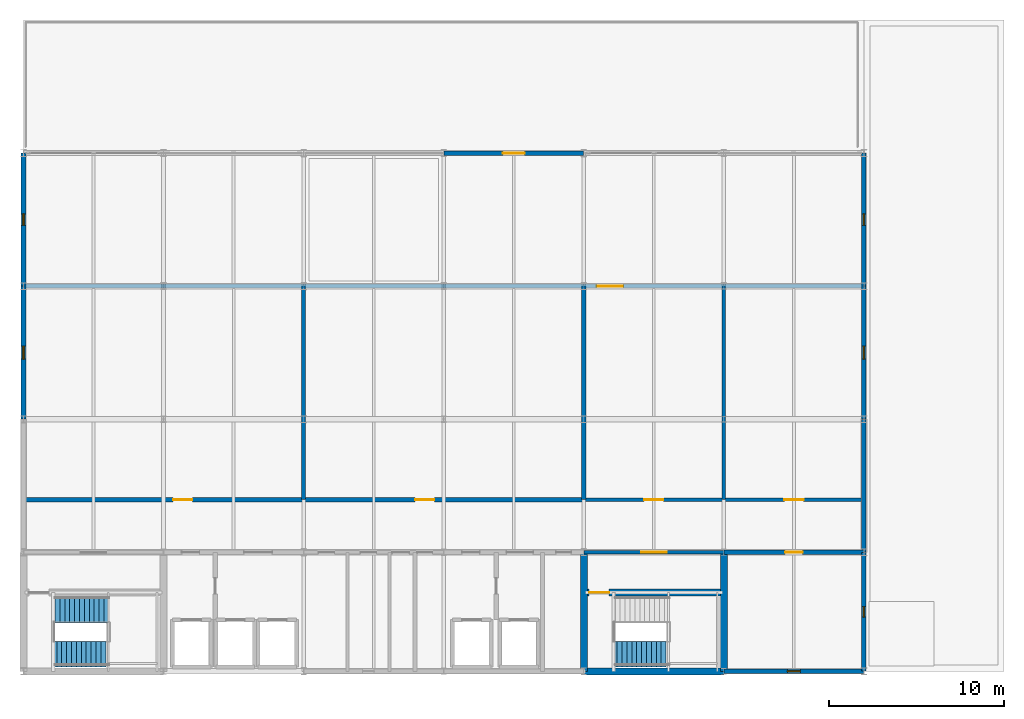
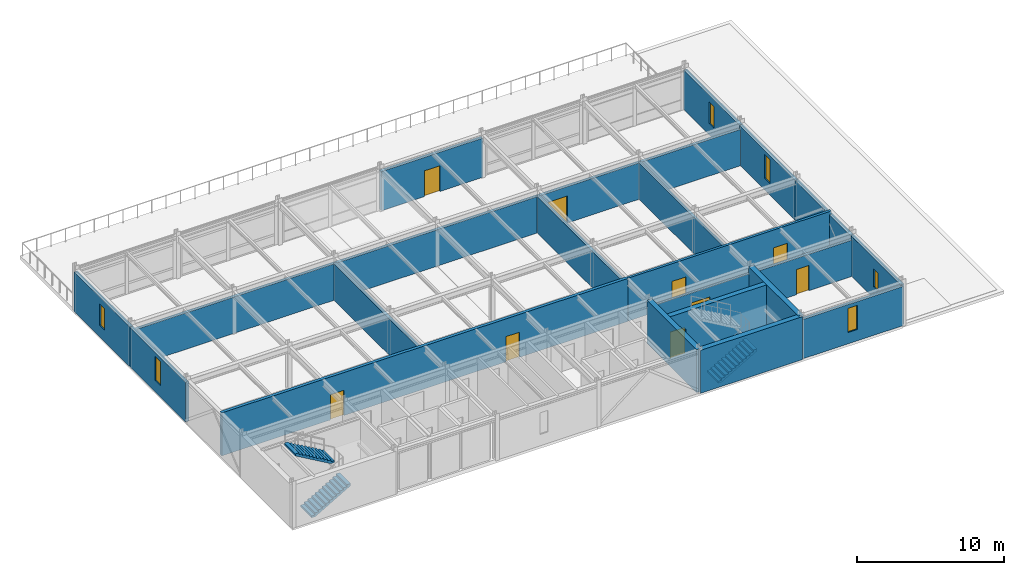
# One storey, part 10 of 12: 20 walls, 9 doors, 6 windows, 3 stair flights, 15 openings, 2 elements without a shape of their own.
"""IFC4 building model written with IfcOpenShell, lengths in metres."""

import ifcopenshell
import ifcopenshell.guid

model = None  # the IFC model being written
_history = None  # IfcOwnerHistory: only IFC2X3 demands one
_inside = {}  # id of a spatial element -> (the spatial element, [elements in it])
_under = {}  # id of a project, library or spatial element -> (it, [spatial elements below it])
_declared = {}  # id of a project -> (the project, [libraries it declares])
_typed = {}  # id of a type object -> (the type object, [elements of that type])
_made_of = {}  # id of a material, layer set ... -> (it, [elements and type objects made of it])


def new_model(schema):
    """Start an empty IFC model of exactly this schema.

    Asked for "IFC4X3", IfcOpenShell would pick the latest addendum, in which some entities
    have other attributes; the version numbers below select the first issue.
    IFC2X3 requires an IfcOwnerHistory on every rooted entity: one is made here for all.
    """
    global model, _history
    if schema == "IFC4X3":
        model = ifcopenshell.file(schema_version=(4, 3, 0, 0))
    else:
        model = ifcopenshell.file(schema=schema)
    _inside.clear()
    _under.clear()
    _declared.clear()
    _typed.clear()
    _made_of.clear()
    _history = None
    if model.schema == "IFC2X3":
        org = make("IfcOrganization", Name="unknown")
        user = make(
            "IfcPersonAndOrganization",
            ThePerson=make("IfcPerson", FamilyName="unknown"),
            TheOrganization=org,
        )
        app = make(
            "IfcApplication",
            ApplicationDeveloper=org,
            Version="unknown",
            ApplicationFullName="unknown",
            ApplicationIdentifier="unknown",
        )
        _history = make(
            "IfcOwnerHistory",
            OwningUser=user,
            OwningApplication=app,
            ChangeAction="ADDED",
            CreationDate=0,
        )
    return model


def make(cls, **values):
    """One entity of the class cls with the attributes given. An attribute that is None is left unset."""
    return model.create_entity(
        cls, **{name: value for name, value in values.items() if value is not None}
    )


def rooted(cls, **values):
    """An entity with a GlobalId (a new one), such as an element, a storey or a relation."""
    return make(cls, GlobalId=ifcopenshell.guid.new(), OwnerHistory=_history, **values)


def si_unit(unit_type, name, prefix=None):
    """IfcSIUnit, for example si_unit("LENGTHUNIT", "METRE", prefix="MILLI")."""
    return make("IfcSIUnit", UnitType=unit_type, Prefix=prefix, Name=name)


def assignment(units):
    """IfcUnitAssignment: the units of a project."""
    return None if units is None else make("IfcUnitAssignment", Units=units)


def point(xyz):
    """IfcCartesianPoint."""
    return None if xyz is None else make("IfcCartesianPoint", Coordinates=xyz)


def direction(xyz):
    """IfcDirection."""
    return None if xyz is None else make("IfcDirection", DirectionRatios=xyz)


def frame(location, z_axis=None, x_axis=None):
    """IfcAxis2Placement3D, a coordinate frame: its origin and axes. An axis left out is left unset."""
    return make(
        "IfcAxis2Placement3D",
        Location=point(location),
        Axis=direction(z_axis),
        RefDirection=direction(x_axis),
    )


def frame_2d(location, x_axis=None):
    """IfcAxis2Placement2D, a coordinate frame in the plane: its origin and x axis."""
    return make(
        "IfcAxis2Placement2D", Location=point(location), RefDirection=direction(x_axis)
    )


def origin():
    """The frame at (0, 0, 0) with its axes left unset."""
    return frame((0.0, 0.0, 0.0))


def place(relative_to, where):
    """IfcLocalPlacement: puts the frame where relative to a parent placement (None: the world)."""
    return make(
        "IfcLocalPlacement", PlacementRelTo=relative_to, RelativePlacement=where
    )


def context(
    kind, dimensions, precision=None, world=None, true_north=None, identifier=None
):
    """IfcGeometricRepresentationContext, for example the 3D "Model" context."""
    return make(
        "IfcGeometricRepresentationContext",
        ContextIdentifier=identifier,
        ContextType=kind,
        CoordinateSpaceDimension=dimensions,
        Precision=precision,
        WorldCoordinateSystem=world,
        TrueNorth=true_north,
    )


def subcontext(parent, identifier, kind, view, scale=None):
    """IfcGeometricRepresentationSubContext, for example "Body" below "Model"."""
    return make(
        "IfcGeometricRepresentationSubContext",
        ContextIdentifier=identifier,
        ContextType=kind,
        ParentContext=parent,
        TargetScale=scale,
        TargetView=view,
    )


def project(units=None, contexts=None):
    """IfcProject with its units and contexts."""
    return rooted(
        "IfcProject",
        Name="project",
        RepresentationContexts=contexts,
        UnitsInContext=assignment(units),
    )


def spatial(cls, under=None, at=None, **own):
    """A site, building, storey or space (cls), placed at a placement, below another one or the project."""
    s = rooted(cls, ObjectPlacement=at, **own)
    if under is not None:
        _under.setdefault(under.id(), (under, []))[1].append(s)
    return s


def polyline(points):
    """IfcPolyline through the points."""
    return make("IfcPolyline", Points=[point(p) for p in points])


def profile(cls, at=None, kind="AREA", **sizes):
    """A parametric profile (cls). Its sizes go by their IFC names, for example OverallWidth=200.0."""
    return make(cls, ProfileType=kind, Position=at, **sizes)


def rectangle(**sizes):
    """IfcRectangleProfileDef."""
    return profile("IfcRectangleProfileDef", **sizes)


def outline(outer, holes=None, kind="AREA"):
    """IfcArbitraryClosedProfileDef: a profile drawn as a closed curve; with holes, ...WithVoids."""
    if holes is None:
        return make("IfcArbitraryClosedProfileDef", ProfileType=kind, OuterCurve=outer)
    return make(
        "IfcArbitraryProfileDefWithVoids",
        ProfileType=kind,
        OuterCurve=outer,
        InnerCurves=holes,
    )


def extrude(swept, where, along, depth):
    """IfcExtrudedAreaSolid: the profile swept, set in the frame where, extruded along a direction by depth."""
    return make(
        "IfcExtrudedAreaSolid",
        SweptArea=swept,
        Position=where,
        ExtrudedDirection=direction(along),
        Depth=depth,
    )


def shape(context_of_items, identifier, shape_type, items):
    """IfcShapeRepresentation: the items that make up one representation, for example the "Body"."""
    return make(
        "IfcShapeRepresentation",
        ContextOfItems=context_of_items,
        RepresentationIdentifier=identifier,
        RepresentationType=shape_type,
        Items=items,
    )


def material(Name=None, Category=None):
    """IfcMaterial."""
    return make("IfcMaterial", Name=Name, Category=Category)


def layer(
    of_material, thickness, ventilated=None, Name=None, Category=None, Priority=None
):
    """IfcMaterialLayer: one layer of a wall or slab, of a material (None: an air gap)."""
    return make(
        "IfcMaterialLayer",
        Material=of_material,
        LayerThickness=thickness,
        IsVentilated=ventilated,
        Name=Name,
        Category=Category,
        Priority=Priority,
    )


def layer_set(layers, Name=None):
    """IfcMaterialLayerSet."""
    return make("IfcMaterialLayerSet", MaterialLayers=layers, LayerSetName=Name)


def made_of(thing, what):
    """Note that an element or type object is made of a material, layer set ...; save() writes the relation."""
    if what is not None:
        _made_of.setdefault(what.id(), (what, []))[1].append(thing)
    return thing


def type_object(cls, material=None, **own):
    """A type object (cls), such as IfcWallType, which elements share."""
    return made_of(rooted(cls, **own), material)


def element(
    cls,
    number,
    at=None,
    inside=None,
    cuts=None,
    type_object=None,
    material=None,
    context=None,
    identifier="Body",
    shape_type=None,
    held_by="IfcProductDefinitionShape",
    body=None,
    shapes=None,
    **own,
):
    """One element of the class cls, such as IfcWall. Its Tag is "e" and its number.

    at: its placement. inside: the storey or other place that contains it. cuts: it is an
    opening in that element (IfcRelVoidsElement). A single representation is given by context,
    identifier, shape_type and body (its items); several are given by shapes. held_by: the class
    of the entity that holds the representations. save() writes the other relations.
    """
    e = rooted(cls, Tag="e%d" % number, ObjectPlacement=at, **own)
    if body is not None:
        shapes = [shape(context, identifier, shape_type, body)]
    if shapes is not None:
        e.Representation = make(held_by, Representations=shapes)
    if inside is not None:
        _inside.setdefault(inside.id(), (inside, []))[1].append(e)
    if cuts is not None:
        rooted(
            "IfcRelVoidsElement", RelatingBuildingElement=cuts, RelatedOpeningElement=e
        )
    if type_object is not None:
        _typed.setdefault(type_object.id(), (type_object, []))[1].append(e)
    return made_of(e, material)


def fill(opening, filler):
    """IfcRelFillsElement: the door or window that sits in an opening."""
    return rooted(
        "IfcRelFillsElement",
        RelatingOpeningElement=opening,
        RelatedBuildingElement=filler,
    )


def aggregate(whole, parts):
    """IfcRelAggregates: a whole, such as a stair, and the parts it consists of."""
    return rooted("IfcRelAggregates", RelatingObject=whole, RelatedObjects=parts)


def save(model, path):
    """Write the relations noted so far, then the file.

    IfcRelAggregates (storeys below a building ...), IfcRelContainedInSpatialStructure (elements
    in a storey), IfcRelDefinesByType, IfcRelAssociatesMaterial and IfcRelDeclares: one each for
    every whole, place, type object, material and project.
    """
    for whole, parts in _under.values():
        aggregate(whole, parts)
    for where, things in _inside.values():
        rooted(
            "IfcRelContainedInSpatialStructure",
            RelatedElements=things,
            RelatingStructure=where,
        )
    for kind, things in _typed.values():
        rooted("IfcRelDefinesByType", RelatedObjects=things, RelatingType=kind)
    for what, things in _made_of.values():
        rooted("IfcRelAssociatesMaterial", RelatedObjects=things, RelatingMaterial=what)
    for by, libraries in _declared.values():
        rooted("IfcRelDeclares", RelatingContext=by, RelatedDefinitions=libraries)
    model.write(path)


model = new_model("IFC4")

# Units and contexts
model_context = context("Model", 3, precision=1e-05, world=origin(), true_north=direction((0.0, 1.0)))
body_context = subcontext(model_context, "Body", "Model", "MODEL_VIEW")
ifc_project = project(units=[si_unit("LENGTHUNIT", "METRE"), si_unit("AREAUNIT", "SQUARE_METRE"), si_unit("VOLUMEUNIT", "CUBIC_METRE"), si_unit("PLANEANGLEUNIT", "RADIAN"), si_unit("MASSUNIT", "GRAM", prefix="KILO")], contexts=[model_context])

# Site, building, storey
site_placement = place(None, origin())
site = spatial("IfcSite", under=ifc_project, at=site_placement, CompositionType="ELEMENT")
building_placement = place(site_placement, origin())
building = spatial("IfcBuilding", under=site, at=building_placement, Name="Shalkamar Park Central Library", CompositionType="ELEMENT")
storey_placement = place(building_placement, frame((0.0, 0.0, 56.10009765625)))
storey = spatial("IfcBuildingStorey", under=building, at=storey_placement, Name="L14", CompositionType="ELEMENT", Elevation=56.10009765625)

# Wall, opening, window
ifc_material_1 = material(Name="Terracotta insulated masonry", Category="masonry")
ifc_layer_1 = layer(ifc_material_1, 0.260009765625)
ifc_layer_set_1 = layer_set([ifc_layer_1], Name="ArchiveInsulatedFacadeWall_260")
wall_type_1 = type_object("IfcWallType", Name="Archive Insulated Facade Wall 260", PredefinedType="SOLIDWALL", material=ifc_layer_set_1)
wall_1_placement = place(storey_placement, frame((205.006103515625, 248.39990234375, 0.0), z_axis=(0.0, 0.0, 1.0), x_axis=(1.0, 0.0, 0.0)))
wall_1 = element("IfcWall", 1, at=wall_1_placement, inside=storey, type_object=wall_type_1, Name="Exterior Facade Wall WL-EXT-L14-249", PredefinedType="SOLIDWALL", context=body_context, shape_type="SweptSolid", body=[
    extrude(rectangle(XDim=7.98779296875, YDim=0.260009765625, at=frame_2d((3.993896484375, 0.0))), origin(), (0.0, 0.0, 1.0), 3.267822265625),
])
opening_1_placement = place(wall_1_placement, frame((3.618896484375, 0.0, 0.949951171875)))
opening_1 = element("IfcOpeningElement", 2, at=opening_1_placement, cuts=wall_1, Name="Opening WN-18", PredefinedType="OPENING", context=body_context, shape_type="SweptSolid", body=[
    extrude(rectangle(XDim=0.75, YDim=2.0, at=frame_2d((0.375, 1.0))), frame((0.0, 0.14501953125, 0.0), z_axis=(0.0, -1.0, 0.0), x_axis=(1.0, 0.0, 0.0)), (0.0, 0.0, 1.0), 0.289794921875),
])
ifc_material_2 = material(Name="Thermally broken aluminium and triple low-e glass", Category="glass")
window_type_1 = type_object("IfcWindowType", Name="Archive Slit Window 750x2000", PartitioningType="SINGLE_PANEL", PredefinedType="WINDOW", material=ifc_material_2)
window_1_placement = place(opening_1_placement, origin())
window_1 = element("IfcWindow", 3, at=window_1_placement, inside=storey, type_object=window_type_1, Name="Facade Window WN-L14-183", OverallHeight=2.0, OverallWidth=0.75, PartitioningType="SINGLE_PANEL", PredefinedType="WINDOW", context=body_context, shape_type="SweptSolid", body=[
    extrude(rectangle(XDim=0.75, YDim=2.0, at=frame_2d((0.375, 1.0))), frame((0.0, 0.030029296875, 0.0), z_axis=(0.0, -1.0, 0.0), x_axis=(1.0, 0.0, 0.0)), (0.0, 0.0, 1.0), 0.06005859375),
])
fill(opening_1, window_1)

# Wall, opening, door
wall_2_placement = place(storey_placement, frame((189.006103515625, 278.0, 0.0), z_axis=(0.0, 0.0, 1.0), x_axis=(1.0, 0.0, 0.0)))
wall_2 = element("IfcWall", 4, at=wall_2_placement, inside=storey, type_object=wall_type_1, Name="Exterior Facade Wall WL-EXT-L14-250", PredefinedType="SOLIDWALL", context=body_context, shape_type="SweptSolid", body=[
    extrude(rectangle(XDim=7.98779296875, YDim=0.260009765625, at=frame_2d((3.993896484375, 0.0))), origin(), (0.0, 0.0, 1.0), 3.267822265625),
])
opening_2_placement = place(wall_2_placement, frame((3.368896484375, 0.0, 0.0)))
opening_2 = element("IfcOpeningElement", 5, at=opening_2_placement, cuts=wall_2, Name="Opening ED-L14-043", PredefinedType="OPENING", context=body_context, shape_type="SweptSolid", body=[
    extrude(rectangle(XDim=1.25, YDim=2.14990234375, at=frame_2d((0.625, 1.074951171875))), frame((0.0, 0.14501953125, 0.0), z_axis=(0.0, -1.0, 0.0), x_axis=(1.0, 0.0, 0.0)), (0.0, 0.0, 1.0), 0.289794921875),
])
ifc_material_3 = material(Name="Thermally broken insulated aluminium and glazed door", Category="aluminium")
door_type_1 = type_object("IfcDoorType", Name="Archive Terrace Door 1250x2150", OperationType="NOTDEFINED", PredefinedType="DOOR", material=ifc_material_3)
door_1_placement = place(opening_2_placement, origin())
door_1 = element("IfcDoor", 6, at=door_1_placement, inside=storey, type_object=door_type_1, Name="L14 Archival Setback Terrace Door", OperationType="SINGLE_SWING_RIGHT", OverallHeight=2.14990234375, OverallWidth=1.25, PredefinedType="DOOR", context=body_context, shape_type="SweptSolid", body=[
    extrude(rectangle(XDim=1.25, YDim=2.14990234375, at=frame_2d((0.625, 1.074951171875))), frame((0.0, 0.02490234375, 0.0), z_axis=(0.0, -1.0, 0.0), x_axis=(1.0, 0.0, 0.0)), (0.0, 0.0, 1.0), 0.050048828125),
])
fill(opening_2, door_1)

# Wall, opening, window
wall_3_placement = place(storey_placement, frame((165.0, 262.805908203125, 0.0), z_axis=(0.0, 0.0, 1.0), x_axis=(0.0, 1.0, 0.0)))
wall_3 = element("IfcWall", 7, at=wall_3_placement, inside=storey, type_object=wall_type_1, Name="Exterior Facade Wall WL-EXT-L14-252", PredefinedType="SOLIDWALL", context=body_context, shape_type="SweptSolid", body=[
    extrude(rectangle(XDim=7.588134765625, YDim=0.260009765625, at=frame_2d((3.7939453125, 0.0))), origin(), (0.0, 0.0, 1.0), 3.307861328125),
])
opening_3_placement = place(wall_3_placement, frame((3.4189453125, 0.0, 0.949951171875)))
opening_3 = element("IfcOpeningElement", 8, at=opening_3_placement, cuts=wall_3, Name="Opening WN-18", PredefinedType="OPENING", context=body_context, shape_type="SweptSolid", body=[
    extrude(rectangle(XDim=0.75, YDim=2.0, at=frame_2d((0.375, 1.0))), frame((0.0, 0.14501953125, 0.0), z_axis=(0.0, -1.0, 0.0), x_axis=(1.0, 0.0, 0.0)), (0.0, 0.0, 1.0), 0.289794921875),
])
window_2_placement = place(opening_3_placement, origin())
window_2 = element("IfcWindow", 9, at=window_2_placement, inside=storey, type_object=window_type_1, Name="Facade Window WN-L14-184", OverallHeight=2.0, OverallWidth=0.75, PartitioningType="SINGLE_PANEL", PredefinedType="WINDOW", context=body_context, shape_type="SweptSolid", body=[
    extrude(rectangle(XDim=0.75, YDim=2.0, at=frame_2d((0.375, 1.0))), frame((0.0, 0.030029296875, 0.0), z_axis=(0.0, -1.0, 0.0), x_axis=(1.0, 0.0, 0.0)), (0.0, 0.0, 1.0), 0.06005859375),
])
fill(opening_3, window_2)

wall_4_placement = place(storey_placement, frame((165.0, 270.406005859375, 0.0), z_axis=(0.0, 0.0, 1.0), x_axis=(0.0, 1.0, 0.0)))
wall_4 = element("IfcWall", 10, at=wall_4_placement, inside=storey, type_object=wall_type_1, Name="Exterior Facade Wall WL-EXT-L14-253", PredefinedType="SOLIDWALL", context=body_context, shape_type="SweptSolid", body=[
    extrude(rectangle(XDim=7.587890625, YDim=0.260009765625, at=frame_2d((3.7939453125, 0.0))), origin(), (0.0, 0.0, 1.0), 3.307861328125),
])
opening_4_placement = place(wall_4_placement, frame((3.468994140625, 0.0, 0.949951171875)))
opening_4 = element("IfcOpeningElement", 11, at=opening_4_placement, cuts=wall_4, Name="Opening WN-19", PredefinedType="OPENING", context=body_context, shape_type="SweptSolid", body=[
    extrude(rectangle(XDim=0.64990234375, YDim=1.800048828125, at=frame_2d((0.324951171875, 0.89990234375))), frame((0.0, 0.14501953125, 0.0), z_axis=(0.0, -1.0, 0.0), x_axis=(1.0, 0.0, 0.0)), (0.0, 0.0, 1.0), 0.289794921875),
])
window_type_2 = type_object("IfcWindowType", Name="Archive Slit Window 650x1800", PartitioningType="SINGLE_PANEL", PredefinedType="WINDOW", material=ifc_material_2)
window_3_placement = place(opening_4_placement, origin())
window_3 = element("IfcWindow", 12, at=window_3_placement, inside=storey, type_object=window_type_2, Name="Facade Window WN-L14-185", OverallHeight=1.800048828125, OverallWidth=0.64990234375, PartitioningType="SINGLE_PANEL", PredefinedType="WINDOW", context=body_context, shape_type="SweptSolid", body=[
    extrude(rectangle(XDim=0.64990234375, YDim=1.800048828125, at=frame_2d((0.324951171875, 0.89990234375))), frame((0.0, 0.030029296875, 0.0), z_axis=(0.0, -1.0, 0.0), x_axis=(1.0, 0.0, 0.0)), (0.0, 0.0, 1.0), 0.06005859375),
])
fill(opening_4, window_3)

wall_5_placement = place(storey_placement, frame((213.0, 248.406005859375, 0.0), z_axis=(0.0, 0.0, 1.0), x_axis=(0.0, 1.0, 0.0)))
wall_5 = element("IfcWall", 13, at=wall_5_placement, inside=storey, type_object=wall_type_1, Name="Exterior Facade Wall WL-EXT-L14-254", PredefinedType="SOLIDWALL", context=body_context, shape_type="SweptSolid", body=[
    extrude(rectangle(XDim=6.7880859375, YDim=0.260009765625, at=frame_2d((3.39404296875, 0.0))), origin(), (0.0, 0.0, 1.0), 3.347900390625),
])
opening_5_placement = place(wall_5_placement, frame((3.093994140625, 0.0, 0.949951171875)))
opening_5 = element("IfcOpeningElement", 14, at=opening_5_placement, cuts=wall_5, Name="Opening WN-20", PredefinedType="OPENING", context=body_context, shape_type="SweptSolid", body=[
    extrude(rectangle(XDim=0.60009765625, YDim=1.5, at=frame_2d((0.300048828125, 0.75))), frame((0.0, 0.14501953125, 0.0), z_axis=(0.0, -1.0, 0.0), x_axis=(1.0, 0.0, 0.0)), (0.0, 0.0, 1.0), 0.289794921875),
])
window_type_3 = type_object("IfcWindowType", Name="Archive Slit Window 600x1500", PartitioningType="SINGLE_PANEL", PredefinedType="WINDOW", material=ifc_material_2)
window_4_placement = place(opening_5_placement, origin())
window_4 = element("IfcWindow", 15, at=window_4_placement, inside=storey, type_object=window_type_3, Name="Facade Window WN-L14-186", OverallHeight=1.5, OverallWidth=0.60009765625, PartitioningType="SINGLE_PANEL", PredefinedType="WINDOW", context=body_context, shape_type="SweptSolid", body=[
    extrude(rectangle(XDim=0.60009765625, YDim=1.5, at=frame_2d((0.300048828125, 0.75))), frame((0.0, 0.030029296875, 0.0), z_axis=(0.0, -1.0, 0.0), x_axis=(1.0, 0.0, 0.0)), (0.0, 0.0, 1.0), 0.06005859375),
])
fill(opening_5, window_4)

# Wall
wall_6_placement = place(storey_placement, frame((213.0, 255.2060546875, 0.0), z_axis=(0.0, 0.0, 1.0), x_axis=(0.0, 1.0, 0.0)))
element("IfcWall", 16, at=wall_6_placement, inside=storey, type_object=wall_type_1, Name="Exterior Facade Wall WL-EXT-L14-255", PredefinedType="SOLIDWALL", context=body_context, shape_type="SweptSolid", body=[
    extrude(rectangle(XDim=7.587890625, YDim=0.260009765625, at=frame_2d((3.7939453125, 0.0))), origin(), (0.0, 0.0, 1.0), 3.307861328125),
])

# Wall, opening, window
wall_7_placement = place(storey_placement, frame((213.0, 262.805908203125, 0.0), z_axis=(0.0, 0.0, 1.0), x_axis=(0.0, 1.0, 0.0)))
wall_7 = element("IfcWall", 17, at=wall_7_placement, inside=storey, type_object=wall_type_1, Name="Exterior Facade Wall WL-EXT-L14-256", PredefinedType="SOLIDWALL", context=body_context, shape_type="SweptSolid", body=[
    extrude(rectangle(XDim=7.588134765625, YDim=0.260009765625, at=frame_2d((3.7939453125, 0.0))), origin(), (0.0, 0.0, 1.0), 3.307861328125),
])
opening_6_placement = place(wall_7_placement, frame((3.4189453125, 0.0, 0.949951171875)))
opening_6 = element("IfcOpeningElement", 18, at=opening_6_placement, cuts=wall_7, Name="Opening WN-18", PredefinedType="OPENING", context=body_context, shape_type="SweptSolid", body=[
    extrude(rectangle(XDim=0.75, YDim=2.0, at=frame_2d((0.375, 1.0))), frame((0.0, 0.14501953125, 0.0), z_axis=(0.0, -1.0, 0.0), x_axis=(1.0, 0.0, 0.0)), (0.0, 0.0, 1.0), 0.289794921875),
])
window_5_placement = place(opening_6_placement, origin())
window_5 = element("IfcWindow", 19, at=window_5_placement, inside=storey, type_object=window_type_1, Name="Facade Window WN-L14-187", OverallHeight=2.0, OverallWidth=0.75, PartitioningType="SINGLE_PANEL", PredefinedType="WINDOW", context=body_context, shape_type="SweptSolid", body=[
    extrude(rectangle(XDim=0.75, YDim=2.0, at=frame_2d((0.375, 1.0))), frame((0.0, 0.030029296875, 0.0), z_axis=(0.0, -1.0, 0.0), x_axis=(1.0, 0.0, 0.0)), (0.0, 0.0, 1.0), 0.06005859375),
])
fill(opening_6, window_5)

wall_8_placement = place(storey_placement, frame((213.0, 270.406005859375, 0.0), z_axis=(0.0, 0.0, 1.0), x_axis=(0.0, 1.0, 0.0)))
wall_8 = element("IfcWall", 20, at=wall_8_placement, inside=storey, type_object=wall_type_1, Name="Exterior Facade Wall WL-EXT-L14-257", PredefinedType="SOLIDWALL", context=body_context, shape_type="SweptSolid", body=[
    extrude(rectangle(XDim=7.587890625, YDim=0.260009765625, at=frame_2d((3.7939453125, 0.0))), origin(), (0.0, 0.0, 1.0), 3.307861328125),
])
opening_7_placement = place(wall_8_placement, frame((3.468994140625, 0.0, 0.949951171875)))
opening_7 = element("IfcOpeningElement", 21, at=opening_7_placement, cuts=wall_8, Name="Opening WN-19", PredefinedType="OPENING", context=body_context, shape_type="SweptSolid", body=[
    extrude(rectangle(XDim=0.64990234375, YDim=1.800048828125, at=frame_2d((0.324951171875, 0.89990234375))), frame((0.0, 0.14501953125, 0.0), z_axis=(0.0, -1.0, 0.0), x_axis=(1.0, 0.0, 0.0)), (0.0, 0.0, 1.0), 0.289794921875),
])
window_6_placement = place(opening_7_placement, origin())
window_6 = element("IfcWindow", 22, at=window_6_placement, inside=storey, type_object=window_type_2, Name="Facade Window WN-L14-188", OverallHeight=1.800048828125, OverallWidth=0.64990234375, PartitioningType="SINGLE_PANEL", PredefinedType="WINDOW", context=body_context, shape_type="SweptSolid", body=[
    extrude(rectangle(XDim=0.64990234375, YDim=1.800048828125, at=frame_2d((0.324951171875, 0.89990234375))), frame((0.0, 0.030029296875, 0.0), z_axis=(0.0, -1.0, 0.0), x_axis=(1.0, 0.0, 0.0)), (0.0, 0.0, 1.0), 0.06005859375),
])
fill(opening_7, window_6)

# Wall, opening, door
ifc_material_4 = material(Name="Reinforced fire-compartment masonry wall", Category="masonry")
ifc_layer_2 = layer(ifc_material_4, 0.239990234375)
ifc_layer_set_2 = layer_set([ifc_layer_2], Name="CompartmentWall_240")
wall_type_2 = type_object("IfcWallType", Name="Compartment Wall 240", PredefinedType="PARTITIONING", material=ifc_layer_set_2)
wall_9_placement = place(storey_placement, frame((205.0, 255.199951171875, 0.0), z_axis=(0.0, 0.0, 1.0), x_axis=(1.0, 0.0, 0.0)))
wall_9 = element("IfcWall", 23, at=wall_9_placement, inside=storey, type_object=wall_type_2, Name="Interior Partition WL-INT-L14-010", PredefinedType="PARTITIONING", context=body_context, shape_type="SweptSolid", body=[
    extrude(rectangle(XDim=8.0, YDim=0.239990234375, at=frame_2d((4.0, 0.0))), origin(), (0.0, 0.0, 1.0), 3.02783203125),
])
opening_8_placement = place(wall_9_placement, frame((3.5, 0.0, 0.0)))
opening_8 = element("IfcOpeningElement", 24, at=opening_8_placement, cuts=wall_9, Name="Opening DR-L14-012", PredefinedType="OPENING", context=body_context, shape_type="SweptSolid", body=[
    extrude(rectangle(XDim=1.0, YDim=2.10009765625, at=frame_2d((0.5, 1.050048828125))), frame((0.0, 0.134765625, 0.0), z_axis=(0.0, -1.0, 0.0), x_axis=(1.0, 0.0, 0.0)), (0.0, 0.0, 1.0), 0.269775390625),
])
ifc_material_5 = material(Name="Steel S355", Category="steel")
door_type_2 = type_object("IfcDoorType", Name="Fire Door Single 1000x2100", OperationType="NOTDEFINED", PredefinedType="DOOR", material=ifc_material_5)
door_2_placement = place(opening_8_placement, frame((1.0, 0.0, 0.0), z_axis=(0.0, 0.0, 1.0), x_axis=(-1.0, 0.0, 0.0)))
door_2 = element("IfcDoor", 25, at=door_2_placement, inside=storey, type_object=door_type_2, Name="L14 Archivist Custodian Office Door", OperationType="SINGLE_SWING_RIGHT", OverallHeight=2.10009765625, OverallWidth=1.0, PredefinedType="DOOR", context=body_context, shape_type="SweptSolid", body=[
    extrude(rectangle(XDim=1.0, YDim=2.10009765625, at=frame_2d((0.5, 1.050048828125))), frame((0.0, 0.02490234375, 0.0), z_axis=(0.0, -1.0, 0.0), x_axis=(1.0, 0.0, 0.0)), (0.0, 0.0, 1.0), 0.050048828125),
])
fill(opening_8, door_2)

# Wall, openings, doors
wall_10_placement = place(storey_placement, frame((165.0, 258.199951171875, 0.0), z_axis=(0.0, 0.0, 1.0), x_axis=(1.0, 0.0, 0.0)))
wall_10 = element("IfcWall", 26, at=wall_10_placement, inside=storey, type_object=wall_type_2, Name="Interior Partition WL-INT-L14-011", PredefinedType="PARTITIONING", context=body_context, shape_type="SweptSolid", body=[
    extrude(rectangle(XDim=32.0, YDim=0.239990234375, at=frame_2d((16.0, 0.0))), origin(), (0.0, 0.0, 1.0), 3.579833984375),
])
opening_9_placement = place(wall_10_placement, frame((8.5400390625, 0.0, 0.0)))
opening_9 = element("IfcOpeningElement", 27, at=opening_9_placement, cuts=wall_10, Name="Opening DR-L14-013", PredefinedType="OPENING", context=body_context, shape_type="SweptSolid", body=[
    extrude(rectangle(XDim=1.10009765625, YDim=2.10009765625, at=frame_2d((0.550048828125, 1.050048828125))), frame((0.0, 0.134765625, 0.0), z_axis=(0.0, -1.0, 0.0), x_axis=(1.0, 0.0, 0.0)), (0.0, 0.0, 1.0), 0.269775390625),
])
opening_10_placement = place(wall_10_placement, frame((22.360107421875, 0.0, 0.0)))
opening_10 = element("IfcOpeningElement", 28, at=opening_10_placement, cuts=wall_10, Name="Opening DR-L14-014", PredefinedType="OPENING", context=body_context, shape_type="SweptSolid", body=[
    extrude(rectangle(XDim=1.10009765625, YDim=2.10009765625, at=frame_2d((0.550048828125, 1.050048828125))), frame((0.0, 0.134765625, 0.0), z_axis=(0.0, -1.0, 0.0), x_axis=(1.0, 0.0, 0.0)), (0.0, 0.0, 1.0), 0.269775390625),
])
door_type_3 = type_object("IfcDoorType", Name="Fire Door Single 1100x2100", OperationType="NOTDEFINED", PredefinedType="DOOR", material=ifc_material_5)
door_3_placement = place(opening_9_placement, origin())
door_3 = element("IfcDoor", 29, at=door_3_placement, inside=storey, type_object=door_type_3, Name="Rare-Book Vault A Door", OperationType="SINGLE_SWING_LEFT", OverallHeight=2.10009765625, OverallWidth=1.10009765625, PredefinedType="DOOR", context=body_context, shape_type="SweptSolid", body=[
    extrude(rectangle(XDim=1.10009765625, YDim=2.10009765625, at=frame_2d((0.550048828125, 1.050048828125))), frame((0.0, 0.02490234375, 0.0), z_axis=(0.0, -1.0, 0.0), x_axis=(1.0, 0.0, 0.0)), (0.0, 0.0, 1.0), 0.050048828125),
])
fill(opening_9, door_3)
door_4_placement = place(opening_10_placement, origin())
door_4 = element("IfcDoor", 30, at=door_4_placement, inside=storey, type_object=door_type_3, Name="Rare-Book Vault B Door", OperationType="SINGLE_SWING_RIGHT", OverallHeight=2.10009765625, OverallWidth=1.10009765625, PredefinedType="DOOR", context=body_context, shape_type="SweptSolid", body=[
    extrude(rectangle(XDim=1.10009765625, YDim=2.10009765625, at=frame_2d((0.550048828125, 1.050048828125))), frame((0.0, 0.02490234375, 0.0), z_axis=(0.0, -1.0, 0.0), x_axis=(1.0, 0.0, 0.0)), (0.0, 0.0, 1.0), 0.050048828125),
])
fill(opening_10, door_4)

# Walls
for number, where, z_axis, x_axis, name in (
    (31, (181.0, 258.199951171875, 0.0), (0.0, 0.0, 1.0), (0.0, 1.0, 0.0), "Interior Partition WL-INT-L14-012"),
    (32, (197.0, 258.199951171875, 0.0), (0.0, 0.0, 1.0), (0.0, 1.0, 0.0), "Interior Partition WL-INT-L14-013"),
):
    element("IfcWall", number, at=place(storey_placement, frame(where, z_axis=z_axis, x_axis=x_axis)), inside=storey, type_object=wall_type_2, Name=name, PredefinedType="PARTITIONING", context=body_context, shape_type="SweptSolid", body=[
        extrude(rectangle(XDim=12.199951171875, YDim=0.239990234375, at=frame_2d((6.10009765625, 0.0))), origin(), (0.0, 0.0, 1.0), 3.02783203125),
    ])

# Wall, opening, door
wall_11_placement = place(storey_placement, frame((165.0, 270.39990234375, 0.0), z_axis=(0.0, 0.0, 1.0), x_axis=(1.0, 0.0, 0.0)))
wall_11 = element("IfcWall", 33, at=wall_11_placement, inside=storey, type_object=wall_type_2, Name="Interior Partition WL-INT-L14-016", PredefinedType="PARTITIONING", context=body_context, shape_type="SweptSolid", body=[
    extrude(rectangle(XDim=48.0, YDim=0.239990234375, at=frame_2d((24.0, 0.0))), origin(), (0.0, 0.0, 1.0), 3.02783203125),
])
opening_11_placement = place(wall_11_placement, frame((32.75, 0.0, 0.0)))
opening_11 = element("IfcOpeningElement", 34, at=opening_11_placement, cuts=wall_11, Name="Opening DR-L14-017", PredefinedType="OPENING", context=body_context, shape_type="SweptSolid", body=[
    extrude(rectangle(XDim=1.5, YDim=2.25, at=frame_2d((0.75, 1.125))), frame((0.0, 0.134765625, 0.0), z_axis=(0.0, -1.0, 0.0), x_axis=(1.0, 0.0, 0.0)), (0.0, 0.0, 1.0), 0.269775390625),
])
door_type_4 = type_object("IfcDoorType", Name="Fire Door Double 1500x2250", OperationType="DOUBLE_DOOR_SINGLE_SWING", PredefinedType="DOOR", material=ifc_material_5)
door_5_placement = place(opening_11_placement, origin())
door_5 = element("IfcDoor", 35, at=door_5_placement, inside=storey, type_object=door_type_4, Name="Restricted Archival Reading Room Door", OperationType="DOUBLE_DOOR_SINGLE_SWING", OverallHeight=2.25, OverallWidth=1.5, PredefinedType="DOOR", context=body_context, shape_type="SweptSolid", body=[
    extrude(rectangle(XDim=1.5, YDim=2.25, at=frame_2d((0.75, 1.125))), frame((0.0, 0.02490234375, 0.0), z_axis=(0.0, -1.0, 0.0), x_axis=(1.0, 0.0, 0.0)), (0.0, 0.0, 1.0), 0.050048828125),
])
fill(opening_11, door_5)

ifc_material_6 = material(Name="Fire-rated corridor partition wall", Category="masonry")
ifc_layer_3 = layer(ifc_material_6, 0.199951171875)
ifc_layer_set_3 = layer_set([ifc_layer_3], Name="CorridorFireWall_200")
wall_type_3 = type_object("IfcWallType", Name="Corridor Fire Wall 200", PredefinedType="PARTITIONING", material=ifc_layer_set_3)
wall_12_placement = place(storey_placement, frame((197.0, 255.199951171875, 0.0), z_axis=(0.0, 0.0, 1.0), x_axis=(1.0, 0.0, 0.0)))
wall_12 = element("IfcWall", 36, at=wall_12_placement, inside=storey, type_object=wall_type_3, Name="CORE-T2 Vestibule North Wall (L14)", PredefinedType="PARTITIONING", context=body_context, shape_type="SweptSolid", body=[
    extrude(rectangle(XDim=8.0, YDim=0.199951171875, at=frame_2d((4.0, 0.0))), origin(), (0.0, 0.0, 1.0), 3.02783203125),
])
opening_12_placement = place(wall_12_placement, frame((3.27490234375, 0.0, 0.0)))
opening_12 = element("IfcOpeningElement", 37, at=opening_12_placement, cuts=wall_12, Name="Opening DR-ST-T2-L14-VEST", PredefinedType="OPENING", context=body_context, shape_type="SweptSolid", body=[
    extrude(rectangle(XDim=1.449951171875, YDim=2.199951171875, at=frame_2d((0.72509765625, 1.10009765625))), frame((0.0, 0.11474609375, 0.0), z_axis=(0.0, -1.0, 0.0), x_axis=(1.0, 0.0, 0.0)), (0.0, 0.0, 1.0), 0.229736328125),
])
door_type_5 = type_object("IfcDoorType", Name="Stair Vestibule Door 1450x2200", OperationType="DOUBLE_DOOR_SINGLE_SWING", PredefinedType="DOOR", material=ifc_material_5)
door_6_placement = place(opening_12_placement, frame((1.449951171875, 0.0, 0.0), z_axis=(0.0, 0.0, 1.0), x_axis=(-1.0, 0.0, 0.0)))
door_6 = element("IfcDoor", 38, at=door_6_placement, inside=storey, type_object=door_type_5, Name="Protected Stair ST-T2 Vestibule Door (L14)", OperationType="DOUBLE_DOOR_SINGLE_SWING", OverallHeight=2.199951171875, OverallWidth=1.449951171875, PredefinedType="DOOR", context=body_context, shape_type="SweptSolid", body=[
    extrude(rectangle(XDim=1.449951171875, YDim=2.199951171875, at=frame_2d((0.72509765625, 1.10009765625))), frame((0.0, 0.02490234375, 0.0), z_axis=(0.0, -1.0, 0.0), x_axis=(1.0, 0.0, 0.0)), (0.0, 0.0, 1.0), 0.050048828125),
])
fill(opening_12, door_6)

# Wall, openings, doors
wall_13_placement = place(storey_placement, frame((197.0, 258.199951171875, 0.0), z_axis=(0.0, 0.0, 1.0), x_axis=(1.0, 0.0, 0.0)))
wall_13 = element("IfcWall", 39, at=wall_13_placement, inside=storey, type_object=wall_type_3, Name="Interior Partition WL-INT-L14-014", PredefinedType="PARTITIONING", context=body_context, shape_type="SweptSolid", body=[
    extrude(rectangle(XDim=16.0, YDim=0.199951171875, at=frame_2d((8.0, 0.0))), origin(), (0.0, 0.0, 1.0), 3.579833984375),
])
opening_13_placement = place(wall_13_placement, frame((3.449951171875, 0.0, 0.0)))
opening_13 = element("IfcOpeningElement", 40, at=opening_13_placement, cuts=wall_13, Name="Opening DR-L14-015", PredefinedType="OPENING", context=body_context, shape_type="SweptSolid", body=[
    extrude(rectangle(XDim=1.10009765625, YDim=2.10009765625, at=frame_2d((0.550048828125, 1.050048828125))), frame((0.0, 0.11474609375, 0.0), z_axis=(0.0, -1.0, 0.0), x_axis=(1.0, 0.0, 0.0)), (0.0, 0.0, 1.0), 0.229736328125),
])
opening_14_placement = place(wall_13_placement, frame((11.449951171875, 0.0, 0.0)))
opening_14 = element("IfcOpeningElement", 41, at=opening_14_placement, cuts=wall_13, Name="Opening DR-L14-016", PredefinedType="OPENING", context=body_context, shape_type="SweptSolid", body=[
    extrude(rectangle(XDim=1.10009765625, YDim=2.10009765625, at=frame_2d((0.550048828125, 1.050048828125))), frame((0.0, 0.11474609375, 0.0), z_axis=(0.0, -1.0, 0.0), x_axis=(1.0, 0.0, 0.0)), (0.0, 0.0, 1.0), 0.229736328125),
])
door_type_6 = type_object("IfcDoorType", Name="Interior Door Single 1100x2100", OperationType="NOTDEFINED", PredefinedType="DOOR", material=ifc_material_5)
door_7_placement = place(opening_13_placement, origin())
door_7 = element("IfcDoor", 42, at=door_7_placement, inside=storey, type_object=door_type_6, Name="Archival Conservation Studio Door", OperationType="SINGLE_SWING_LEFT", OverallHeight=2.10009765625, OverallWidth=1.10009765625, PredefinedType="DOOR", context=body_context, shape_type="SweptSolid", body=[
    extrude(rectangle(XDim=1.10009765625, YDim=2.10009765625, at=frame_2d((0.550048828125, 1.050048828125))), frame((0.0, 0.02490234375, 0.0), z_axis=(0.0, -1.0, 0.0), x_axis=(1.0, 0.0, 0.0)), (0.0, 0.0, 1.0), 0.050048828125),
])
fill(opening_13, door_7)
door_8_placement = place(opening_14_placement, origin())
door_8 = element("IfcDoor", 43, at=door_8_placement, inside=storey, type_object=door_type_6, Name="Manuscript Acclimatization Lab Door", OperationType="SINGLE_SWING_RIGHT", OverallHeight=2.10009765625, OverallWidth=1.10009765625, PredefinedType="DOOR", context=body_context, shape_type="SweptSolid", body=[
    extrude(rectangle(XDim=1.10009765625, YDim=2.10009765625, at=frame_2d((0.550048828125, 1.050048828125))), frame((0.0, 0.02490234375, 0.0), z_axis=(0.0, -1.0, 0.0), x_axis=(1.0, 0.0, 0.0)), (0.0, 0.0, 1.0), 0.050048828125),
])
fill(opening_14, door_8)

# Walls
wall_14_placement = place(storey_placement, frame((205.0, 258.199951171875, 0.0), z_axis=(0.0, 0.0, 1.0), x_axis=(0.0, 1.0, 0.0)))
element("IfcWall", 44, at=wall_14_placement, inside=storey, type_object=wall_type_3, Name="Interior Partition WL-INT-L14-015", PredefinedType="PARTITIONING", context=body_context, shape_type="SweptSolid", body=[
    extrude(rectangle(XDim=12.199951171875, YDim=0.199951171875, at=frame_2d((6.10009765625, 0.0))), origin(), (0.0, 0.0, 1.0), 3.02783203125),
])
ifc_material_7 = material(Name="Concrete C40/50", Category="concrete")
ifc_layer_4 = layer(ifc_material_7, 0.39990234375)
ifc_layer_set_4 = layer_set([ifc_layer_4], Name="Concrete C40/50")
wall_type_4 = type_object("IfcWallType", Name="Tower Core Shear Wall 400", PredefinedType="SHEAR", material=ifc_layer_set_4)
wall_15_placement = place(storey_placement, frame((197.0, 248.39990234375, 0.0), z_axis=(0.0, 0.0, 1.0), x_axis=(1.0, 0.0, 0.0)))
element("IfcWall", 45, at=wall_15_placement, inside=storey, type_object=wall_type_4, Name="CORE-T2 South Shear Wall (L14)", PredefinedType="SHEAR", context=body_context, shape_type="SweptSolid", body=[
    extrude(rectangle(XDim=8.0, YDim=0.39990234375, at=frame_2d((4.0, 0.0))), origin(), (0.0, 0.0, 1.0), 3.579833984375),
])
for number, where, z_axis, x_axis, name in (
    (46, (197.0, 248.39990234375, 0.0), (0.0, 0.0, 1.0), (0.0, 1.0, 0.0), "CORE-T2 West Shear Wall (L14)"),
    (47, (205.0, 248.39990234375, 0.0), (0.0, 0.0, 1.0), (0.0, 1.0, 0.0), "CORE-T2 East Shear Wall (L14)"),
):
    element("IfcWall", number, at=place(storey_placement, frame(where, z_axis=z_axis, x_axis=x_axis)), inside=storey, type_object=wall_type_4, Name=name, PredefinedType="SHEAR", context=body_context, shape_type="SweptSolid", body=[
        extrude(rectangle(XDim=6.800048828125, YDim=0.39990234375, at=frame_2d((3.39990234375, 0.0))), origin(), (0.0, 0.0, 1.0), 3.579833984375),
    ])

# Wall, opening, door
wall_16_placement = place(storey_placement, frame((197.0, 252.89990234375, 0.0), z_axis=(0.0, 0.0, 1.0), x_axis=(1.0, 0.0, 0.0)))
wall_16 = element("IfcWall", 48, at=wall_16_placement, inside=storey, type_object=wall_type_4, Name="CORE-T2 Stairwell Wall (L14)", PredefinedType="SHEAR", context=body_context, shape_type="SweptSolid", body=[
    extrude(rectangle(XDim=8.0, YDim=0.39990234375, at=frame_2d((4.0, 0.0))), origin(), (0.0, 0.0, 1.0), 3.579833984375),
])
opening_15_placement = place(wall_16_placement, frame((0.300048828125, 0.0, 0.0)))
opening_15 = element("IfcOpeningElement", 49, at=opening_15_placement, cuts=wall_16, Name="Opening DR-ST-T2-L14-IN", PredefinedType="OPENING", context=body_context, shape_type="SweptSolid", body=[
    extrude(rectangle(XDim=1.14990234375, YDim=2.14990234375, at=frame_2d((0.574951171875, 1.074951171875))), frame((0.0, 0.21484375, 0.0), z_axis=(0.0, -1.0, 0.0), x_axis=(1.0, 0.0, 0.0)), (0.0, 0.0, 1.0), 0.4296875),
])
door_type_7 = type_object("IfcDoorType", Name="Stair Core Exit Door 1150x2150", OperationType="NOTDEFINED", PredefinedType="DOOR", material=ifc_material_5)
door_9_placement = place(opening_15_placement, frame((1.14990234375, 0.0, 0.0), z_axis=(0.0, 0.0, 1.0), x_axis=(-1.0, 0.0, 0.0)))
door_9 = element("IfcDoor", 50, at=door_9_placement, inside=storey, type_object=door_type_7, Name="Protected Stair ST-T2 Exit Door (L14)", OperationType="SINGLE_SWING_RIGHT", OverallHeight=2.14990234375, OverallWidth=1.14990234375, PredefinedType="DOOR", context=body_context, shape_type="SweptSolid", body=[
    extrude(rectangle(XDim=1.14990234375, YDim=2.14990234375, at=frame_2d((0.574951171875, 1.074951171875))), frame((0.0, 0.02490234375, 0.0), z_axis=(0.0, -1.0, 0.0), x_axis=(1.0, 0.0, 0.0)), (0.0, 0.0, 1.0), 0.050048828125),
])
fill(opening_15, door_9)

# Stair, stair flights
ifc_material_8 = material(Name="Concrete C35/45", Category="concrete")
stair_type = type_object("IfcStairType", Name="Protected Dog Leg Stair 150x390", PredefinedType="TWO_STRAIGHT_RUN_STAIR", material=ifc_material_8)
stair_1_placement = place(storey_placement, origin())
stair_1 = element("IfcStair", 51, at=stair_1_placement, inside=storey, type_object=stair_type, Name="Protected Core Stair ST-T1-L14", PredefinedType="TWO_STRAIGHT_RUN_STAIR")
stair_flight_type = type_object("IfcStairFlightType", Name="Straight Stair Flight 150x390", PredefinedType="STRAIGHT", material=ifc_material_8)
stair_flight_1_placement = place(storey_placement, frame((166.6201171875, 249.389892578125, 0.0), z_axis=(0.0, 0.0, 1.0), x_axis=(1.0, 0.0, 0.0)))
stair_flight_1 = element("IfcStairFlight", 52, at=stair_flight_1_placement, type_object=stair_flight_type, Name="ST-T1-L14 flight 1", NumberOfRisers=12, NumberOfTreads=11, PredefinedType="STRAIGHT", RiserHeight=0.1625, TreadLength=0.28, context=body_context, shape_type="SweptSolid", body=[
    extrude(outline(polyline([(0.0, 0.0), (0.0, 0.16259765625), (0.280029296875, 0.16259765625), (0.280029296875, 0.324951171875), (0.56005859375, 0.324951171875), (0.56005859375, 0.487548828125), (0.840087890625, 0.487548828125), (0.840087890625, 0.64990234375), (1.1201171875, 0.64990234375), (1.1201171875, 0.8125), (1.39990234375, 0.8125), (1.39990234375, 0.97509765625), (1.679931640625, 0.97509765625), (1.679931640625, 1.137451171875), (1.9599609375, 1.137451171875), (1.9599609375, 1.300048828125), (2.239990234375, 1.300048828125), (2.239990234375, 1.46240234375), (2.52001953125, 1.46240234375), (2.52001953125, 1.625), (2.800048828125, 1.625), (2.800048828125, 1.78759765625), (3.080078125, 1.78759765625), (3.080078125, 1.949951171875), (3.080078125, 1.6142578125), (0.298583984375, 0.0), (0.0, 0.0)])), frame((0.0, 0.75, 0.0), z_axis=(0.0, -1.0, 0.0), x_axis=(1.0, 0.0, 0.0)), (0.0, 0.0, 1.0), 1.5),
])
stair_flight_2_placement = place(storey_placement, frame((169.8798828125, 251.909912109375, 1.949951171875), z_axis=(0.0, 0.0, 1.0), x_axis=(-1.0, 0.0, 0.0)))
stair_flight_2 = element("IfcStairFlight", 53, at=stair_flight_2_placement, type_object=stair_flight_type, Name="ST-T1-L14 flight 2", NumberOfRisers=12, NumberOfTreads=11, PredefinedType="STRAIGHT", RiserHeight=0.1625, TreadLength=0.28, context=body_context, shape_type="SweptSolid", body=[
    extrude(outline(polyline([(0.0, 0.0), (0.0, 0.16259765625), (0.280029296875, 0.16259765625), (0.280029296875, 0.324951171875), (0.56005859375, 0.324951171875), (0.56005859375, 0.487548828125), (0.840087890625, 0.487548828125), (0.840087890625, 0.64990234375), (1.1201171875, 0.64990234375), (1.1201171875, 0.8125), (1.39990234375, 0.8125), (1.39990234375, 0.97509765625), (1.679931640625, 0.97509765625), (1.679931640625, 1.137451171875), (1.9599609375, 1.137451171875), (1.9599609375, 1.300048828125), (2.239990234375, 1.300048828125), (2.239990234375, 1.46240234375), (2.52001953125, 1.46240234375), (2.52001953125, 1.625), (2.800048828125, 1.625), (2.800048828125, 1.78759765625), (3.080078125, 1.78759765625), (3.080078125, 1.949951171875), (3.080078125, 1.6142578125), (0.298583984375, 0.0), (0.0, 0.0)])), frame((0.0, 0.75, 0.0), z_axis=(0.0, -1.0, 0.0), x_axis=(1.0, 0.0, 0.0)), (0.0, 0.0, 1.0), 1.5),
])
aggregate(stair_1, [stair_flight_1, stair_flight_2])

# Stair, stair flight
stair_2_placement = place(storey_placement, origin())
stair_2 = element("IfcStair", 54, at=stair_2_placement, inside=storey, type_object=stair_type, Name="Protected Core Stair ST-T2-L14", PredefinedType="TWO_STRAIGHT_RUN_STAIR")
stair_flight_3_placement = place(storey_placement, frame((198.6201171875, 249.389892578125, 0.0), z_axis=(0.0, 0.0, 1.0), x_axis=(1.0, 0.0, 0.0)))
stair_flight_3 = element("IfcStairFlight", 55, at=stair_flight_3_placement, type_object=stair_flight_type, Name="ST-T2-L14 flight 1", NumberOfRisers=12, NumberOfTreads=11, PredefinedType="STRAIGHT", RiserHeight=0.1625, TreadLength=0.28, context=body_context, shape_type="SweptSolid", body=[
    extrude(outline(polyline([(0.0, 0.0), (0.0, 0.16259765625), (0.280029296875, 0.16259765625), (0.280029296875, 0.324951171875), (0.56005859375, 0.324951171875), (0.56005859375, 0.487548828125), (0.840087890625, 0.487548828125), (0.840087890625, 0.64990234375), (1.1201171875, 0.64990234375), (1.1201171875, 0.8125), (1.39990234375, 0.8125), (1.39990234375, 0.97509765625), (1.679931640625, 0.97509765625), (1.679931640625, 1.137451171875), (1.9599609375, 1.137451171875), (1.9599609375, 1.300048828125), (2.239990234375, 1.300048828125), (2.239990234375, 1.46240234375), (2.52001953125, 1.46240234375), (2.52001953125, 1.625), (2.800048828125, 1.625), (2.800048828125, 1.78759765625), (3.080078125, 1.78759765625), (3.080078125, 1.949951171875), (3.080078125, 1.6142578125), (0.298583984375, 0.0), (0.0, 0.0)])), frame((0.0, 0.75, 0.0), z_axis=(0.0, -1.0, 0.0), x_axis=(1.0, 0.0, 0.0)), (0.0, 0.0, 1.0), 1.5),
])
aggregate(stair_2, [stair_flight_3])

save(model, "model.ifc")
